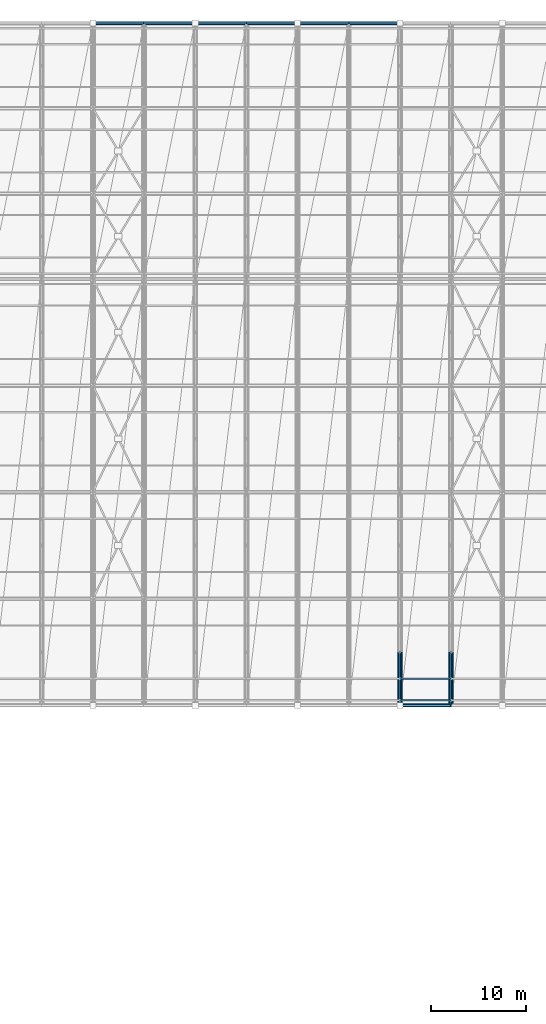
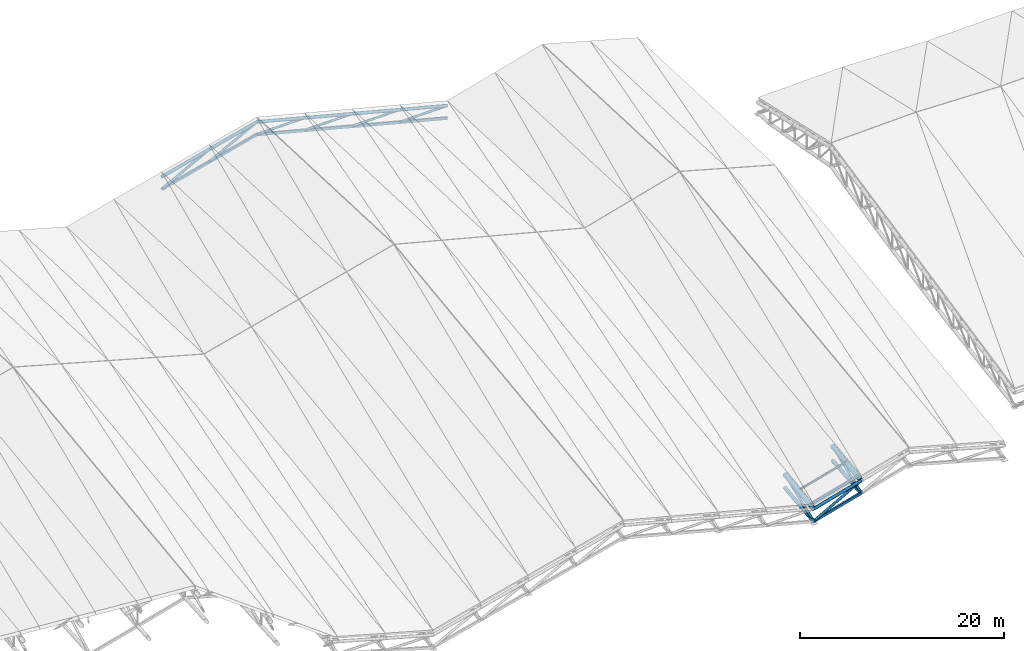
# One storey, part 31 of 109: 25 members, 4 beams.
"""IFC4 building model written with IfcOpenShell, lengths in metres."""

import ifcopenshell
import ifcopenshell.guid

model = None  # the IFC model being written
_history = None  # IfcOwnerHistory: only IFC2X3 demands one
_inside = {}  # id of a spatial element -> (the spatial element, [elements in it])
_under = {}  # id of a project, library or spatial element -> (it, [spatial elements below it])
_declared = {}  # id of a project -> (the project, [libraries it declares])
_typed = {}  # id of a type object -> (the type object, [elements of that type])
_made_of = {}  # id of a material, layer set ... -> (it, [elements and type objects made of it])


def new_model(schema):
    """Start an empty IFC model of exactly this schema.

    Asked for "IFC4X3", IfcOpenShell would pick the latest addendum, in which some entities
    have other attributes; the version numbers below select the first issue.
    IFC2X3 requires an IfcOwnerHistory on every rooted entity: one is made here for all.
    """
    global model, _history
    if schema == "IFC4X3":
        model = ifcopenshell.file(schema_version=(4, 3, 0, 0))
    else:
        model = ifcopenshell.file(schema=schema)
    _inside.clear()
    _under.clear()
    _declared.clear()
    _typed.clear()
    _made_of.clear()
    _history = None
    if model.schema == "IFC2X3":
        org = make("IfcOrganization", Name="unknown")
        user = make(
            "IfcPersonAndOrganization",
            ThePerson=make("IfcPerson", FamilyName="unknown"),
            TheOrganization=org,
        )
        app = make(
            "IfcApplication",
            ApplicationDeveloper=org,
            Version="unknown",
            ApplicationFullName="unknown",
            ApplicationIdentifier="unknown",
        )
        _history = make(
            "IfcOwnerHistory",
            OwningUser=user,
            OwningApplication=app,
            ChangeAction="ADDED",
            CreationDate=0,
        )
    return model


def make(cls, **values):
    """One entity of the class cls with the attributes given. An attribute that is None is left unset."""
    return model.create_entity(
        cls, **{name: value for name, value in values.items() if value is not None}
    )


def rooted(cls, **values):
    """An entity with a GlobalId (a new one), such as an element, a storey or a relation."""
    return make(cls, GlobalId=ifcopenshell.guid.new(), OwnerHistory=_history, **values)


def si_unit(unit_type, name, prefix=None):
    """IfcSIUnit, for example si_unit("LENGTHUNIT", "METRE", prefix="MILLI")."""
    return make("IfcSIUnit", UnitType=unit_type, Prefix=prefix, Name=name)


def assignment(units):
    """IfcUnitAssignment: the units of a project."""
    return None if units is None else make("IfcUnitAssignment", Units=units)


def point(xyz):
    """IfcCartesianPoint."""
    return None if xyz is None else make("IfcCartesianPoint", Coordinates=xyz)


def direction(xyz):
    """IfcDirection."""
    return None if xyz is None else make("IfcDirection", DirectionRatios=xyz)


def frame(location, z_axis=None, x_axis=None):
    """IfcAxis2Placement3D, a coordinate frame: its origin and axes. An axis left out is left unset."""
    return make(
        "IfcAxis2Placement3D",
        Location=point(location),
        Axis=direction(z_axis),
        RefDirection=direction(x_axis),
    )


def frame_2d(location, x_axis=None):
    """IfcAxis2Placement2D, a coordinate frame in the plane: its origin and x axis."""
    return make(
        "IfcAxis2Placement2D", Location=point(location), RefDirection=direction(x_axis)
    )


def origin():
    """The frame at (0, 0, 0) with its axes left unset."""
    return frame((0.0, 0.0, 0.0))


def origin_2d():
    """The frame at (0, 0) in the plane with its x axis left unset."""
    return frame_2d((0.0, 0.0))


def place(relative_to, where):
    """IfcLocalPlacement: puts the frame where relative to a parent placement (None: the world)."""
    return make(
        "IfcLocalPlacement", PlacementRelTo=relative_to, RelativePlacement=where
    )


def context(
    kind, dimensions, precision=None, world=None, true_north=None, identifier=None
):
    """IfcGeometricRepresentationContext, for example the 3D "Model" context."""
    return make(
        "IfcGeometricRepresentationContext",
        ContextIdentifier=identifier,
        ContextType=kind,
        CoordinateSpaceDimension=dimensions,
        Precision=precision,
        WorldCoordinateSystem=world,
        TrueNorth=true_north,
    )


def subcontext(parent, identifier, kind, view, scale=None):
    """IfcGeometricRepresentationSubContext, for example "Body" below "Model"."""
    return make(
        "IfcGeometricRepresentationSubContext",
        ContextIdentifier=identifier,
        ContextType=kind,
        ParentContext=parent,
        TargetScale=scale,
        TargetView=view,
    )


def project(units=None, contexts=None):
    """IfcProject with its units and contexts."""
    return rooted(
        "IfcProject",
        Name="project",
        RepresentationContexts=contexts,
        UnitsInContext=assignment(units),
    )


def spatial(cls, under=None, at=None, **own):
    """A site, building, storey or space (cls), placed at a placement, below another one or the project."""
    s = rooted(cls, ObjectPlacement=at, **own)
    if under is not None:
        _under.setdefault(under.id(), (under, []))[1].append(s)
    return s


def profile(cls, at=None, kind="AREA", **sizes):
    """A parametric profile (cls). Its sizes go by their IFC names, for example OverallWidth=200.0."""
    return make(cls, ProfileType=kind, Position=at, **sizes)


def hollow_rectangle(**sizes):
    """IfcRectangleHollowProfileDef."""
    return profile("IfcRectangleHollowProfileDef", **sizes)


def hollow_circle(**sizes):
    """IfcCircleHollowProfileDef."""
    return profile("IfcCircleHollowProfileDef", **sizes)


def i_section(**sizes):
    """IfcIShapeProfileDef."""
    return profile("IfcIShapeProfileDef", **sizes)


def extrude(swept, where, along, depth):
    """IfcExtrudedAreaSolid: the profile swept, set in the frame where, extruded along a direction by depth."""
    return make(
        "IfcExtrudedAreaSolid",
        SweptArea=swept,
        Position=where,
        ExtrudedDirection=direction(along),
        Depth=depth,
    )


def shape(context_of_items, identifier, shape_type, items):
    """IfcShapeRepresentation: the items that make up one representation, for example the "Body"."""
    return make(
        "IfcShapeRepresentation",
        ContextOfItems=context_of_items,
        RepresentationIdentifier=identifier,
        RepresentationType=shape_type,
        Items=items,
    )


def material(Name=None, Category=None):
    """IfcMaterial."""
    return make("IfcMaterial", Name=Name, Category=Category)


def material_profile(
    of_material, cross_section, Name=None, Category=None, Priority=None
):
    """IfcMaterialProfile: a cross section and its material."""
    return make(
        "IfcMaterialProfile",
        Name=Name,
        Material=of_material,
        Profile=cross_section,
        Priority=Priority,
        Category=Category,
    )


def profile_set(profiles, Name=None, composite=None):
    """IfcMaterialProfileSet."""
    return make(
        "IfcMaterialProfileSet",
        Name=Name,
        MaterialProfiles=profiles,
        CompositeProfile=composite,
    )


def made_of(thing, what):
    """Note that an element or type object is made of a material, layer set ...; save() writes the relation."""
    if what is not None:
        _made_of.setdefault(what.id(), (what, []))[1].append(thing)
    return thing


def type_object(cls, material=None, **own):
    """A type object (cls), such as IfcWallType, which elements share."""
    return made_of(rooted(cls, **own), material)


def element(
    cls,
    number,
    at=None,
    inside=None,
    cuts=None,
    type_object=None,
    material=None,
    context=None,
    identifier="Body",
    shape_type=None,
    held_by="IfcProductDefinitionShape",
    body=None,
    shapes=None,
    **own,
):
    """One element of the class cls, such as IfcWall. Its Tag is "e" and its number.

    at: its placement. inside: the storey or other place that contains it. cuts: it is an
    opening in that element (IfcRelVoidsElement). A single representation is given by context,
    identifier, shape_type and body (its items); several are given by shapes. held_by: the class
    of the entity that holds the representations. save() writes the other relations.
    """
    e = rooted(cls, Tag="e%d" % number, ObjectPlacement=at, **own)
    if body is not None:
        shapes = [shape(context, identifier, shape_type, body)]
    if shapes is not None:
        e.Representation = make(held_by, Representations=shapes)
    if inside is not None:
        _inside.setdefault(inside.id(), (inside, []))[1].append(e)
    if cuts is not None:
        rooted(
            "IfcRelVoidsElement", RelatingBuildingElement=cuts, RelatedOpeningElement=e
        )
    if type_object is not None:
        _typed.setdefault(type_object.id(), (type_object, []))[1].append(e)
    return made_of(e, material)


def aggregate(whole, parts):
    """IfcRelAggregates: a whole, such as a stair, and the parts it consists of."""
    return rooted("IfcRelAggregates", RelatingObject=whole, RelatedObjects=parts)


def save(model, path):
    """Write the relations noted so far, then the file.

    IfcRelAggregates (storeys below a building ...), IfcRelContainedInSpatialStructure (elements
    in a storey), IfcRelDefinesByType, IfcRelAssociatesMaterial and IfcRelDeclares: one each for
    every whole, place, type object, material and project.
    """
    for whole, parts in _under.values():
        aggregate(whole, parts)
    for where, things in _inside.values():
        rooted(
            "IfcRelContainedInSpatialStructure",
            RelatedElements=things,
            RelatingStructure=where,
        )
    for kind, things in _typed.values():
        rooted("IfcRelDefinesByType", RelatedObjects=things, RelatingType=kind)
    for what, things in _made_of.values():
        rooted("IfcRelAssociatesMaterial", RelatedObjects=things, RelatingMaterial=what)
    for by, libraries in _declared.values():
        rooted("IfcRelDeclares", RelatingContext=by, RelatedDefinitions=libraries)
    model.write(path)


model = new_model("IFC4")

# Units and contexts
model_context = context("Model", 3, precision=1e-05, world=origin(), true_north=direction((0.0, 1.0)))
body_context = subcontext(model_context, "Body", "Model", "MODEL_VIEW")
ifc_project = project(units=[si_unit("LENGTHUNIT", "METRE"), si_unit("AREAUNIT", "SQUARE_METRE"), si_unit("VOLUMEUNIT", "CUBIC_METRE"), si_unit("PLANEANGLEUNIT", "RADIAN"), si_unit("MASSUNIT", "GRAM", prefix="KILO")], contexts=[model_context])

# Site, building, storey
site_placement = place(None, origin())
site = spatial("IfcSite", under=ifc_project, at=site_placement, CompositionType="ELEMENT")
building_placement = place(site_placement, origin())
building = spatial("IfcBuilding", under=site, at=building_placement, Name="Suirenkawa Promenade Aquatics Centre", CompositionType="ELEMENT")
storey_placement = place(building_placement, frame((0.0, 0.0, 22.800048828125)))
storey = spatial("IfcBuildingStorey", under=building, at=storey_placement, Name="ROOF", CompositionType="ELEMENT", Elevation=22.800048828125)

# Beams
ifc_material = material(Name="Steel IS 2062 E350 (Grade 350)", Category="steel")
ifc_material_profile_1 = material_profile(ifc_material, hollow_circle(Radius=0.202880859375, WallThickness=0.01806640625, at=origin_2d()), Name="CHS 406x18", Category="steel")
ifc_profile_set_1 = profile_set([ifc_material_profile_1], Name="Steel IS 2062 E350 (Grade 350)")
beam_type_1 = type_object("IfcBeamType", Name="BT-BC-CHS406", PredefinedType="BEAM", material=ifc_profile_set_1)
beam_1_placement = place(storey_placement, frame((133.199951171875, 50.39990234375, -16.47998046875), z_axis=(0.0, 0.994361931266, 0.106039377826), x_axis=(-1.0, 0.0, 0.0)))
element("IfcBeam", 1, at=beam_1_placement, inside=storey, type_object=beam_type_1, Name="ROOF TRUSS V1 bottom chord BC-01 BM-2256", PredefinedType="BEAM", context=body_context, shape_type="SweptSolid", body=[
    extrude(hollow_circle(Radius=0.202880859375, WallThickness=0.01806640625, at=origin_2d()), origin(), (0.0, 0.0, 1.0), 5.656982421875),
])
beam_2_placement = place(storey_placement, frame((138.60009765625, 50.39990234375, -14.97998046875), z_axis=(0.0, 0.996499069884, 0.083603849917), x_axis=(-1.0, 0.0, 0.0)))
element("IfcBeam", 2, at=beam_2_placement, inside=storey, type_object=beam_type_1, Name="ROOF TRUSS V1 bottom chord BC-01 BM-2284", PredefinedType="BEAM", context=body_context, shape_type="SweptSolid", body=[
    extrude(hollow_circle(Radius=0.202880859375, WallThickness=0.01806640625, at=origin_2d()), origin(), (0.0, 0.0, 1.0), 5.644775390625),
])
ifc_material_profile_2 = material_profile(ifc_material, hollow_circle(Radius=0.25390625, WallThickness=0.02392578125, at=origin_2d()), Name="CHS 508x24", Category="steel")
ifc_profile_set_2 = profile_set([ifc_material_profile_2], Name="Steel IS 2062 E350 (Grade 350)")
beam_type_2 = type_object("IfcBeamType", Name="BT-TC-CHS508", PredefinedType="BEAM", material=ifc_profile_set_2)
for number, where, z_axis, x_axis, name in (
    (3, (133.199951171875, 50.39990234375, -15.0), (0.0, 0.991799178012, 0.127806065951), (-1.0, 0.0, 0.0), "ROOF TRUSS V1 top chord TC-02 BM-2255"),
    (4, (138.60009765625, 50.39990234375, -13.5), (0.0, 0.991799178012, 0.127806065951), (-1.0, 0.0, 0.0), "ROOF TRUSS V1 top chord TC-02 BM-2283"),
):
    element("IfcBeam", number, at=place(storey_placement, frame(where, z_axis=z_axis, x_axis=x_axis)), inside=storey, type_object=beam_type_2, Name=name, PredefinedType="BEAM", context=body_context, shape_type="SweptSolid", body=[
        extrude(hollow_circle(Radius=0.25390625, WallThickness=0.02392578125, at=origin_2d()), origin(), (0.0, 0.0, 1.0), 5.671630859375),
    ])

# Members
ifc_material_profile_3 = material_profile(ifc_material, hollow_circle(Radius=0.177978515625, WallThickness=0.01611328125, at=origin_2d()), Name="CHS 356x16", Category="steel")
ifc_profile_set_3 = profile_set([ifc_material_profile_3], Name="Steel IS 2062 E350 (Grade 350)")
member_type_1 = type_object("IfcMemberType", Name="MT-CHORD-CHS356", PredefinedType="CHORD", material=ifc_profile_set_3)
member_1_placement = place(storey_placement, frame((133.199951171875, 50.39990234375, -15.0), z_axis=(0.963519781844, 0.0, 0.267637123724), x_axis=(0.0, 1.0, 0.0)))
element("IfcMember", 5, at=member_1_placement, inside=storey, type_object=member_type_1, Name="ROOF TRUSS V1 eave top chord CH-02 MB-0616", PredefinedType="CHORD", context=body_context, shape_type="SweptSolid", body=[
    extrude(hollow_circle(Radius=0.177978515625, WallThickness=0.01611328125, at=origin_2d()), origin(), (0.0, 0.0, 1.0), 5.6044921875),
])
member_2_placement = place(storey_placement, frame((100.800048828125, 122.39990234375, -7.5), z_axis=(0.968000048288, 0.0, 0.250950007997), x_axis=(0.0, 1.0, 0.0)))
element("IfcMember", 6, at=member_2_placement, inside=storey, type_object=member_type_1, Name="ROOF TRUSS V1 eave top chord CH-02 MB-0658", PredefinedType="CHORD", context=body_context, shape_type="SweptSolid", body=[
    extrude(hollow_circle(Radius=0.177978515625, WallThickness=0.01611328125, at=origin_2d()), origin(), (0.0, 0.0, 1.0), 5.578369140625),
])
member_3_placement = place(storey_placement, frame((106.199951171875, 122.39990234375, -6.10009765625), z_axis=(0.967992172948, 0.0, 0.250980383917), x_axis=(0.0, 1.0, 0.0)))
element("IfcMember", 7, at=member_3_placement, inside=storey, type_object=member_type_1, Name="ROOF TRUSS V1 eave top chord CH-02 MB-0661", PredefinedType="CHORD", context=body_context, shape_type="SweptSolid", body=[
    extrude(hollow_circle(Radius=0.177978515625, WallThickness=0.01611328125, at=origin_2d()), origin(), (0.0, 0.0, 1.0), 5.57861328125),
])
for number, where, z_axis, x_axis, name in (
    (8, (111.60009765625, 122.39990234375, -4.699951171875), (0.967989416096, 0.0, -0.250991016426), (0.0, 1.0, 0.0), "ROOF TRUSS V1 eave top chord CH-02 MB-0664"),
    (9, (117.0, 122.39990234375, -6.10009765625), (0.968000048288, 0.0, -0.250950007997), (0.0, 1.0, 0.0), "ROOF TRUSS V1 eave top chord CH-02 MB-0667"),
):
    element("IfcMember", number, at=place(storey_placement, frame(where, z_axis=z_axis, x_axis=x_axis)), inside=storey, type_object=member_type_1, Name=name, PredefinedType="CHORD", context=body_context, shape_type="SweptSolid", body=[
        extrude(hollow_circle(Radius=0.177978515625, WallThickness=0.01611328125, at=origin_2d()), origin(), (0.0, 0.0, 1.0), 5.578369140625),
    ])
member_4_placement = place(storey_placement, frame((122.39990234375, 122.39990234375, -7.5), z_axis=(0.967992172948, 0.0, -0.250980383917), x_axis=(0.0, 1.0, 0.0)))
element("IfcMember", 10, at=member_4_placement, inside=storey, type_object=member_type_1, Name="ROOF TRUSS V1 eave top chord CH-02 MB-0670", PredefinedType="CHORD", context=body_context, shape_type="SweptSolid", body=[
    extrude(hollow_circle(Radius=0.177978515625, WallThickness=0.01611328125, at=origin_2d()), origin(), (0.0, 0.0, 1.0), 5.57861328125),
])
member_5_placement = place(storey_placement, frame((127.800048828125, 122.39990234375, -8.900146484375), z_axis=(0.968000048288, 0.0, -0.250950007997), x_axis=(0.0, 1.0, 0.0)))
element("IfcMember", 11, at=member_5_placement, inside=storey, type_object=member_type_1, Name="ROOF TRUSS V1 eave top chord CH-02 MB-0673", PredefinedType="CHORD", context=body_context, shape_type="SweptSolid", body=[
    extrude(hollow_circle(Radius=0.177978515625, WallThickness=0.01611328125, at=origin_2d()), origin(), (0.0, 0.0, 1.0), 5.578369140625),
])
ifc_material_profile_4 = material_profile(ifc_material, hollow_rectangle(XDim=0.199951171875, YDim=0.300048828125, WallThickness=0.011962890625, at=origin_2d()), Name="RHS 300x200x12", Category="steel")
ifc_profile_set_4 = profile_set([ifc_material_profile_4], Name="Steel IS 2062 E350 (Grade 350)")
member_type_2 = type_object("IfcMemberType", Name="MT-CHORD-RHS300", PredefinedType="CHORD", material=ifc_profile_set_4)
member_6_placement = place(storey_placement, frame((133.199951171875, 50.39990234375, -16.47998046875), z_axis=(0.963519781844, 0.0, 0.267637123724), x_axis=(0.0, 1.0, 0.0)))
element("IfcMember", 12, at=member_6_placement, inside=storey, type_object=member_type_2, Name="ROOF TRUSS V1 eave bottom chord CH-03 MB-0617", PredefinedType="CHORD", context=body_context, shape_type="SweptSolid", body=[
    extrude(hollow_rectangle(XDim=0.199951171875, YDim=0.300048828125, WallThickness=0.011962890625, at=origin_2d()), origin(), (0.0, 0.0, 1.0), 5.6044921875),
])
member_7_placement = place(storey_placement, frame((100.800048828125, 122.39990234375, -8.97998046875), z_axis=(0.968000048288, 0.0, 0.250950007997), x_axis=(0.0, 1.0, 0.0)))
element("IfcMember", 13, at=member_7_placement, inside=storey, type_object=member_type_2, Name="ROOF TRUSS V1 eave bottom chord CH-03 MB-0659", PredefinedType="CHORD", context=body_context, shape_type="SweptSolid", body=[
    extrude(hollow_rectangle(XDim=0.199951171875, YDim=0.300048828125, WallThickness=0.011962890625, at=origin_2d()), origin(), (0.0, 0.0, 1.0), 5.578369140625),
])
member_8_placement = place(storey_placement, frame((106.199951171875, 122.39990234375, -7.580078125), z_axis=(0.967992172948, 0.0, 0.250980383917), x_axis=(0.0, 1.0, 0.0)))
element("IfcMember", 14, at=member_8_placement, inside=storey, type_object=member_type_2, Name="ROOF TRUSS V1 eave bottom chord CH-03 MB-0662", PredefinedType="CHORD", context=body_context, shape_type="SweptSolid", body=[
    extrude(hollow_rectangle(XDim=0.199951171875, YDim=0.300048828125, WallThickness=0.011962890625, at=origin_2d()), origin(), (0.0, 0.0, 1.0), 5.57861328125),
])
for number, where, z_axis, x_axis, name in (
    (15, (111.60009765625, 122.39990234375, -6.179931640625), (0.967989416096, 0.0, -0.250991016426), (0.0, 1.0, 0.0), "ROOF TRUSS V1 eave bottom chord CH-03 MB-0665"),
    (16, (117.0, 122.39990234375, -7.580078125), (0.968000048288, 0.0, -0.250950007997), (0.0, 1.0, 0.0), "ROOF TRUSS V1 eave bottom chord CH-03 MB-0668"),
):
    element("IfcMember", number, at=place(storey_placement, frame(where, z_axis=z_axis, x_axis=x_axis)), inside=storey, type_object=member_type_2, Name=name, PredefinedType="CHORD", context=body_context, shape_type="SweptSolid", body=[
        extrude(hollow_rectangle(XDim=0.199951171875, YDim=0.300048828125, WallThickness=0.011962890625, at=origin_2d()), origin(), (0.0, 0.0, 1.0), 5.578369140625),
    ])
member_9_placement = place(storey_placement, frame((122.39990234375, 122.39990234375, -8.97998046875), z_axis=(0.967992172948, 0.0, -0.250980383917), x_axis=(0.0, 1.0, 0.0)))
element("IfcMember", 17, at=member_9_placement, inside=storey, type_object=member_type_2, Name="ROOF TRUSS V1 eave bottom chord CH-03 MB-0671", PredefinedType="CHORD", context=body_context, shape_type="SweptSolid", body=[
    extrude(hollow_rectangle(XDim=0.199951171875, YDim=0.300048828125, WallThickness=0.011962890625, at=origin_2d()), origin(), (0.0, 0.0, 1.0), 5.57861328125),
])
member_10_placement = place(storey_placement, frame((127.800048828125, 122.39990234375, -10.380126953125), z_axis=(0.968000048288, 0.0, -0.250950007997), x_axis=(0.0, 1.0, 0.0)))
element("IfcMember", 18, at=member_10_placement, inside=storey, type_object=member_type_2, Name="ROOF TRUSS V1 eave bottom chord CH-03 MB-0674", PredefinedType="CHORD", context=body_context, shape_type="SweptSolid", body=[
    extrude(hollow_rectangle(XDim=0.199951171875, YDim=0.300048828125, WallThickness=0.011962890625, at=origin_2d()), origin(), (0.0, 0.0, 1.0), 5.578369140625),
])
ifc_material_profile_5 = material_profile(ifc_material, i_section(OverallWidth=0.125, OverallDepth=0.25, WebThickness=0.007080078125, FlangeThickness=0.012939453125, at=origin_2d()), Name="ISMB 250", Category="steel")
ifc_profile_set_5 = profile_set([ifc_material_profile_5], Name="Steel IS 2062 E350 (Grade 350)")
member_type_3 = type_object("IfcMemberType", Name="MT-PURLIN-ISMB250", PredefinedType="PURLIN", material=ifc_profile_set_5)
member_11_placement = place(storey_placement, frame((133.199951171875, 53.2119140625, -14.4169921875), z_axis=(0.963519781844, 0.0, 0.267637123724), x_axis=(0.0, 1.0, 0.0)))
element("IfcMember", 19, at=member_11_placement, inside=storey, type_object=member_type_3, Name="ROOF TRUSS Roof purlin PU-04 MB-2265", PredefinedType="PURLIN", context=body_context, shape_type="SweptSolid", body=[
    extrude(i_section(OverallWidth=0.125, OverallDepth=0.25, WebThickness=0.007080078125, FlangeThickness=0.012939453125, at=origin_2d()), origin(), (0.0, 0.0, 1.0), 5.6044921875),
])
ifc_material_profile_6 = material_profile(ifc_material, hollow_rectangle(XDim=0.14990234375, YDim=0.25, WallThickness=0.010009765625, at=origin_2d()), Name="RHS 250x150x10", Category="steel")
ifc_profile_set_6 = profile_set([ifc_material_profile_6], Name="Steel IS 2062 E350 (Grade 350)")
member_type_4 = type_object("IfcMemberType", Name="MT-PURLIN-RHS250", PredefinedType="PURLIN", material=ifc_profile_set_6)
member_12_placement = place(storey_placement, frame((133.199951171875, 50.949951171875, -14.7099609375), z_axis=(0.963519781844, 0.0, 0.267637123724), x_axis=(0.0, 1.0, 0.0)))
element("IfcMember", 20, at=member_12_placement, inside=storey, type_object=member_type_4, Name="ROOF TRUSS Roof purlin PU-03 MB-2263", PredefinedType="PURLIN", context=body_context, shape_type="SweptSolid", body=[
    extrude(hollow_rectangle(XDim=0.14990234375, YDim=0.25, WallThickness=0.010009765625, at=origin_2d()), origin(), (0.0, 0.0, 1.0), 5.6044921875),
])
ifc_material_profile_7 = material_profile(ifc_material, hollow_circle(Radius=0.136962890625, WallThickness=0.011962890625, at=origin_2d()), Name="CHS 274x12", Category="steel")
ifc_profile_set_7 = profile_set([ifc_material_profile_7], Name="Steel IS 2062 E350 (Grade 350)")
member_type_5 = type_object("IfcMemberType", Name="MT-WEB-CHS274", PredefinedType="BRACE", material=ifc_profile_set_7)
for number, where, z_axis, x_axis, name in (
    (21, (133.199951171875, 50.39990234375, -16.47998046875), (0.0, 0.931032164378, 0.364937130056), (-1.0, 0.0, 0.0), "ROOF TRUSS V1 web diagonal TD-02 MB-0433"),
    (22, (138.60009765625, 50.39990234375, -14.97998046875), (0.0, 0.931032164378, 0.364937130056), (-1.0, 0.0, 0.0), "ROOF TRUSS V1 web diagonal TD-02 MB-0460"),
):
    element("IfcMember", number, at=place(storey_placement, frame(where, z_axis=z_axis, x_axis=x_axis)), inside=storey, type_object=member_type_5, Name=name, PredefinedType="BRACE", context=body_context, shape_type="SweptSolid", body=[
        extrude(hollow_circle(Radius=0.136962890625, WallThickness=0.011962890625, at=origin_2d()), origin(), (0.0, 0.0, 1.0), 6.041748046875),
    ])
member_13_placement = place(storey_placement, frame((133.199951171875, 50.39990234375, -16.47998046875), z_axis=(0.875537268014, 0.0, 0.483150589691), x_axis=(0.0, 1.0, 0.0)))
element("IfcMember", 23, at=member_13_placement, inside=storey, type_object=member_type_5, Name="ROOF TRUSS V1 eave web diagonal TD-02 MB-0618", PredefinedType="BRACE", context=body_context, shape_type="SweptSolid", body=[
    extrude(hollow_circle(Radius=0.136962890625, WallThickness=0.011962890625, at=origin_2d()), origin(), (0.0, 0.0, 1.0), 6.167724609375),
])
member_14_placement = place(storey_placement, frame((100.800048828125, 122.39990234375, -8.97998046875), z_axis=(0.882357358376, 0.0, 0.470579952952), x_axis=(0.0, 1.0, 0.0)))
element("IfcMember", 24, at=member_14_placement, inside=storey, type_object=member_type_5, Name="ROOF TRUSS V1 eave web diagonal TD-02 MB-0660", PredefinedType="BRACE", context=body_context, shape_type="SweptSolid", body=[
    extrude(hollow_circle(Radius=0.136962890625, WallThickness=0.011962890625, at=origin_2d()), origin(), (0.0, 0.0, 1.0), 6.119873046875),
])
member_15_placement = place(storey_placement, frame((106.199951171875, 122.39990234375, -7.580078125), z_axis=(0.882349628405, 0.0, 0.470594446688), x_axis=(0.0, 1.0, 0.0)))
element("IfcMember", 25, at=member_15_placement, inside=storey, type_object=member_type_5, Name="ROOF TRUSS V1 eave web diagonal TD-02 MB-0663", PredefinedType="BRACE", context=body_context, shape_type="SweptSolid", body=[
    extrude(hollow_circle(Radius=0.136962890625, WallThickness=0.011962890625, at=origin_2d()), origin(), (0.0, 0.0, 1.0), 6.1201171875),
])
for number, where, z_axis, x_axis, name in (
    (26, (111.60009765625, 122.39990234375, -6.179931640625), (0.999890729579, 0.0, 0.014782723057), (0.0, 1.0, 0.0), "ROOF TRUSS V1 eave web diagonal TD-02 MB-0666"),
    (27, (117.0, 122.39990234375, -7.580078125), (0.999890060347, 0.0, 0.014827920237), (0.0, 1.0, 0.0), "ROOF TRUSS V1 eave web diagonal TD-02 MB-0669"),
):
    element("IfcMember", number, at=place(storey_placement, frame(where, z_axis=z_axis, x_axis=x_axis)), inside=storey, type_object=member_type_5, Name=name, PredefinedType="BRACE", context=body_context, shape_type="SweptSolid", body=[
        extrude(hollow_circle(Radius=0.136962890625, WallThickness=0.011962890625, at=origin_2d()), origin(), (0.0, 0.0, 1.0), 5.400390625),
    ])
member_16_placement = place(storey_placement, frame((122.39990234375, 122.39990234375, -8.97998046875), z_axis=(0.999890739458, 0.0, 0.014782054876), x_axis=(0.0, 1.0, 0.0)))
element("IfcMember", 28, at=member_16_placement, inside=storey, type_object=member_type_5, Name="ROOF TRUSS V1 eave web diagonal TD-02 MB-0672", PredefinedType="BRACE", context=body_context, shape_type="SweptSolid", body=[
    extrude(hollow_circle(Radius=0.136962890625, WallThickness=0.011962890625, at=origin_2d()), origin(), (0.0, 0.0, 1.0), 5.400634765625),
])
member_17_placement = place(storey_placement, frame((127.800048828125, 122.39990234375, -10.380126953125), z_axis=(0.999890060347, 0.0, 0.014827920237), x_axis=(0.0, 1.0, 0.0)))
element("IfcMember", 29, at=member_17_placement, inside=storey, type_object=member_type_5, Name="ROOF TRUSS V1 eave web diagonal TD-02 MB-0675", PredefinedType="BRACE", context=body_context, shape_type="SweptSolid", body=[
    extrude(hollow_circle(Radius=0.136962890625, WallThickness=0.011962890625, at=origin_2d()), origin(), (0.0, 0.0, 1.0), 5.400390625),
])

save(model, "model.ifc")
